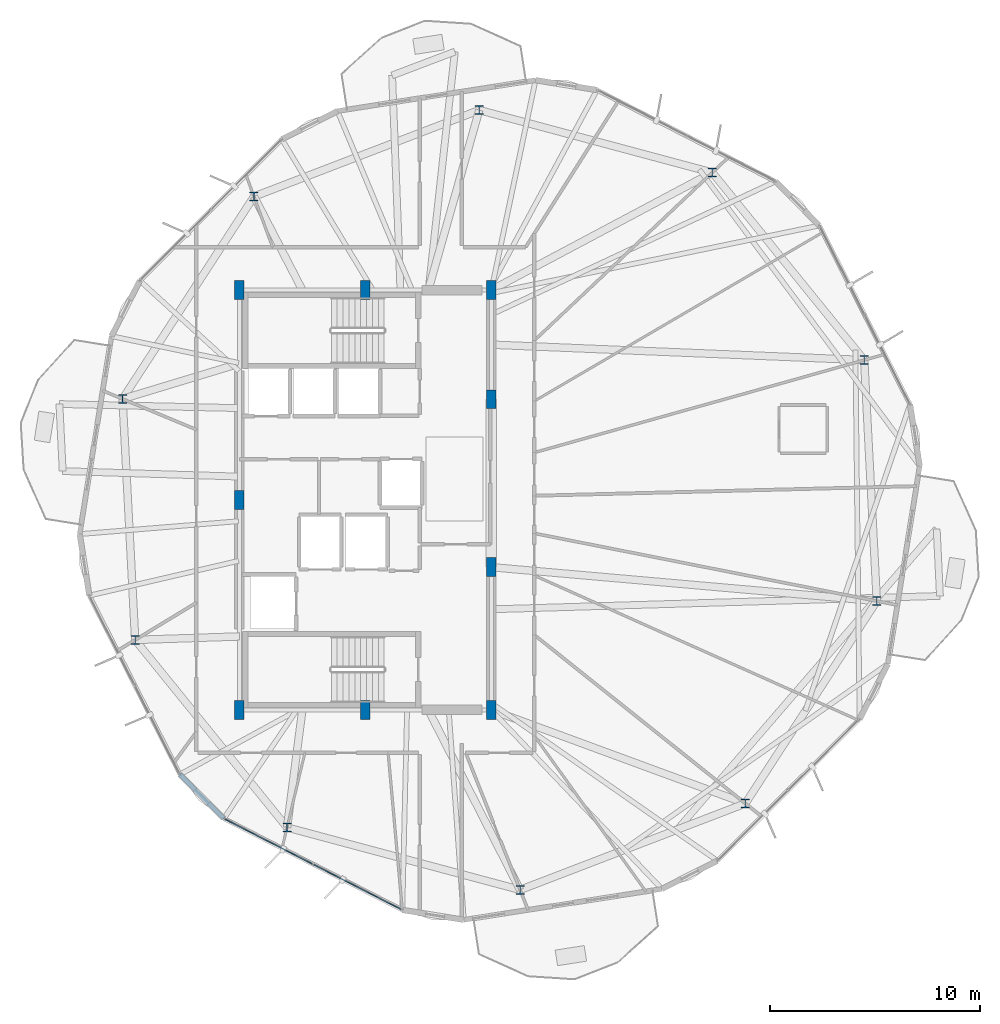
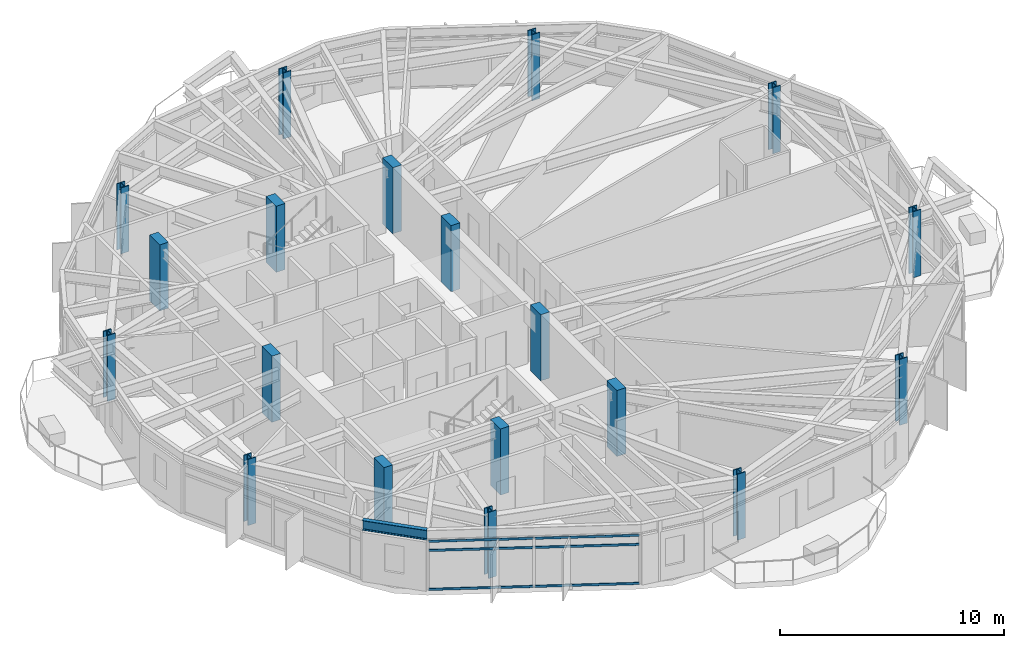
# One storey, part 1 of 27: 19 columns, 6 members, 1 beam, 1 element without a shape of its own.
"""IFC4 building model written with IfcOpenShell, lengths in metres."""

from ifc_helpers import new_model, si_unit, direction, frame, origin, origin_2d, place, context, subcontext, project, spatial, rectangle, hollow_rectangle, i_section, extrude, material, layer, layer_set, material_profile, profile_set, type_object, element, aggregate, save


model = new_model("IFC4")

# Units and contexts
model_context = context("Model", 3, precision=1e-05, world=origin(), true_north=direction((0.0, 1.0)))
body_context = subcontext(model_context, "Body", "Model", "MODEL_VIEW")
ifc_project = project(units=[si_unit("LENGTHUNIT", "METRE"), si_unit("AREAUNIT", "SQUARE_METRE"), si_unit("VOLUMEUNIT", "CUBIC_METRE"), si_unit("PLANEANGLEUNIT", "RADIAN"), si_unit("MASSUNIT", "GRAM", prefix="KILO")], contexts=[model_context])

# Site, building, storey
site_placement = place(None, origin())
site = spatial("IfcSite", under=ifc_project, at=site_placement, CompositionType="ELEMENT")
building_placement = place(site_placement, origin())
building = spatial("IfcBuilding", under=site, at=building_placement, Name="Soratama Intermodal Tower", CompositionType="ELEMENT")
storey_placement = place(building_placement, frame((0.0, 0.0, 197.800048828125)))
storey = spatial("IfcBuildingStorey", under=building, at=storey_placement, Name="L49", CompositionType="ELEMENT", Elevation=197.800048828125)

# Columns
ifc_material_1 = material(Name="Structural steel ASTM A992 Grade 50", Category="steel")
ifc_material_profile_1 = material_profile(ifc_material_1, i_section(OverallWidth=0.406005859375, OverallDepth=0.416015625, WebThickness=0.02978515625, FlangeThickness=0.048095703125, FilletRadius=0.0380859375, at=origin_2d()), Name="W14X257")
ifc_profile_set_1 = profile_set([ifc_material_profile_1], Name="Structural steel ASTM A992 Grade 50")
column_type_1 = type_object("IfcColumnType", Name="COL-ZD-W14X257", PredefinedType="COLUMN", material=ifc_profile_set_1)
for number, where, z_axis, x_axis, name in (
    (1, (62.364501953125, 31.66552734375, 0.0), (0.0, 0.0, 1.0), (1.0, 0.0, 0.0), "L49 Tower Ring Column R01"),
    (2, (55.13037109375, 40.599365234375, 0.0), (0.0, 0.0, 1.0), (1.0, 0.0, 0.0), "L49 Tower Ring Column R02"),
    (3, (44.026611328125, 43.574462890625, 0.0), (0.0, 0.0, 1.0), (1.0, 0.0, 0.0), "L49 Tower Ring Column R03"),
    (4, (33.294677734375, 39.454833984375, 0.0), (0.0, 0.0, 1.0), (1.0, 0.0, 0.0), "L49 Tower Ring Column R04"),
    (5, (27.03369140625, 29.81396484375, 0.0), (0.0, 0.0, 1.0), (1.0, 0.0, 0.0), "L49 Tower Ring Column R05"),
    (6, (27.635498046875, 18.33447265625, 0.0), (0.0, 0.0, 1.0), (1.0, 0.0, 0.0), "L49 Tower Ring Column R06"),
    (7, (34.86962890625, 9.400634765625, 0.0), (0.0, 0.0, 1.0), (1.0, 0.0, 0.0), "L49 Tower Ring Column R07"),
    (8, (45.973388671875, 6.425537109375, 0.0), (0.0, 0.0, 1.0), (1.0, 0.0, 0.0), "L49 Tower Ring Column R08"),
    (9, (56.705322265625, 10.545166015625, 0.0), (0.0, 0.0, 1.0), (1.0, 0.0, 0.0), "L49 Tower Ring Column R09"),
    (10, (62.96630859375, 20.18603515625, 0.0), (0.0, 0.0, 1.0), (1.0, 0.0, 0.0), "L49 Tower Ring Column R10"),
):
    element("IfcColumn", number, at=place(storey_placement, frame(where, z_axis=z_axis, x_axis=x_axis)), inside=storey, type_object=column_type_1, Name=name, PredefinedType="COLUMN", context=body_context, shape_type="SweptSolid", body=[
        extrude(i_section(OverallWidth=0.406005859375, OverallDepth=0.416015625, WebThickness=0.02978515625, FlangeThickness=0.048095703125, FilletRadius=0.0380859375, at=origin_2d()), origin(), (0.0, 0.0, 1.0), 3.599853515625),
    ])
ifc_material_2 = material(Name="Concrete f'c 56 MPa", Category="concrete")
ifc_material_profile_2 = material_profile(ifc_material_2, rectangle(XDim=0.449951171875, YDim=0.89990234375, at=origin_2d()), Name="RC450X900")
ifc_profile_set_2 = profile_set([ifc_material_profile_2], Name="Concrete f'c 56 MPa")
column_type_2 = type_object("IfcColumnType", Name="PIL-CORE-450X900", PredefinedType="PILASTER", material=ifc_profile_set_2)
for number, where, z_axis, x_axis, name in (
    (11, (32.60009765625, 15.0, 0.0), (0.0, 0.0, 1.0), (1.0, 0.0, 0.0), "L49 Core Pilaster 1"),
    (12, (32.60009765625, 25.0, 0.0), (0.0, 0.0, 1.0), (1.0, 0.0, 0.0), "L49 Core Pilaster 2"),
    (13, (32.60009765625, 35.0, 0.0), (0.0, 0.0, 1.0), (1.0, 0.0, 0.0), "L49 Core Pilaster 3"),
    (14, (38.60009765625, 15.0, 0.0), (0.0, 0.0, 1.0), (1.0, 0.0, 0.0), "L49 Core Pilaster 4"),
    (15, (38.60009765625, 35.0, 0.0), (0.0, 0.0, 1.0), (1.0, 0.0, 0.0), "L49 Core Pilaster 5"),
    (16, (44.60009765625, 15.0, 0.0), (0.0, 0.0, 1.0), (1.0, 0.0, 0.0), "L49 Core Pilaster 6"),
    (17, (44.60009765625, 21.800048828125, 0.0), (0.0, 0.0, 1.0), (1.0, 0.0, 0.0), "L49 Core Pilaster 7"),
    (18, (44.60009765625, 29.800048828125, 0.0), (0.0, 0.0, 1.0), (1.0, 0.0, 0.0), "L49 Core Pilaster 8"),
    (19, (44.60009765625, 35.0, 0.0), (0.0, 0.0, 1.0), (1.0, 0.0, 0.0), "L49 Core Pilaster 9"),
):
    element("IfcColumn", number, at=place(storey_placement, frame(where, z_axis=z_axis, x_axis=x_axis)), inside=storey, type_object=column_type_2, Name=name, PredefinedType="PILASTER", context=body_context, shape_type="SweptSolid", body=[
        extrude(rectangle(XDim=0.449951171875, YDim=0.89990234375, at=origin_2d()), origin(), (0.0, 0.0, 1.0), 3.599853515625),
    ])

# Beam
ifc_material_3 = material(Name="Structural steel ASTM A992 Grade 50", Category="steel")
ifc_material_profile_3 = material_profile(ifc_material_3, i_section(OverallWidth=0.2099609375, OverallDepth=0.537109375, WebThickness=0.010986328125, FlangeThickness=0.017333984375, FilletRadius=0.012939453125, at=origin_2d()), Name="W21X68")
ifc_profile_set_3 = profile_set([ifc_material_profile_3], Name="Structural steel ASTM A992 Grade 50")
beam_type = type_object("IfcBeamType", Name="BM-SPN-W21X68", PredefinedType="SPANDREL", material=ifc_profile_set_3)
beam_placement = place(storey_placement, frame((29.76708984375, 11.924072265625, 3.031494140625), z_axis=(0.705582538716, -0.708627745053, 0.0), x_axis=(0.708627745053, 0.705582538716, 0.0)))
element("IfcBeam", 20, at=beam_placement, inside=storey, type_object=beam_type, Name="BS-L49-CRN05", PredefinedType="SPANDREL", context=body_context, shape_type="SweptSolid", body=[
    extrude(i_section(OverallWidth=0.2099609375, OverallDepth=0.537109375, WebThickness=0.010986328125, FlangeThickness=0.017333984375, FilletRadius=0.012939453125, at=origin_2d()), origin(), (0.0, 0.0, 1.0), 2.96630859375),
])

# Curtain wall, members
ifc_material_4 = material(Name="Double-glazed aluminium curtain wall", Category="aluminium")
ifc_layer = layer(ifc_material_4, 0.159912109375)
ifc_layer_set = layer_set([ifc_layer], Name="Double-glazed aluminium curtain wall")
curtain_wall_type = type_object("IfcCurtainWallType", Name="CW-SYS-5", PredefinedType="NOTDEFINED", material=ifc_layer_set)
curtain_wall_placement = place(storey_placement, origin())
curtain_wall = element("IfcCurtainWall", 21, at=curtain_wall_placement, inside=storey, type_object=curtain_wall_type, Name="L49 Faceted Curtain Wall F06", PredefinedType="NOTDEFINED")
ifc_material_5 = material(Name="Anodised aluminium AA 6063-T6", Category="aluminium")
ifc_material_profile_4 = material_profile(ifc_material_5, hollow_rectangle(XDim=0.06005859375, YDim=0.1298828125, WallThickness=0.0048828125, InnerFilletRadius=0.0048828125, OuterFilletRadius=0.010009765625, at=origin_2d()), Name="CWT130X60X5")
ifc_profile_set_4 = profile_set([ifc_material_profile_4], Name="Anodised aluminium AA 6063-T6")
member_type = type_object("IfcMemberType", Name="TT-CWT-2", PredefinedType="USERDEFINED", material=ifc_profile_set_4)
member_1_placement = place(storey_placement, frame((31.913330078125, 9.794189453125, 0.030029296875), z_axis=(0.890050582917, -0.455861777132, 0.0), x_axis=(0.455861777132, 0.890050582917, 0.0)))
member_1 = element("IfcMember", 22, at=member_1_placement, type_object=member_type, Name="CW-5 transom 1.1", ObjectType="TRANSOM", PredefinedType="USERDEFINED", context=body_context, shape_type="SweptSolid", body=[
    extrude(hollow_rectangle(XDim=0.06005859375, YDim=0.1298828125, WallThickness=0.0048828125, InnerFilletRadius=0.0048828125, OuterFilletRadius=0.010009765625, at=origin_2d()), origin(), (0.0, 0.0, 1.0), 4.68603515625),
])
member_2_placement = place(storey_placement, frame((31.913330078125, 9.794189453125, 2.14990234375), z_axis=(0.890050582917, -0.455861777132, 0.0), x_axis=(0.455861777132, 0.890050582917, 0.0)))
member_2 = element("IfcMember", 23, at=member_2_placement, type_object=member_type, Name="CW-5 transom 1.2", ObjectType="TRANSOM", PredefinedType="USERDEFINED", context=body_context, shape_type="SweptSolid", body=[
    extrude(hollow_rectangle(XDim=0.06005859375, YDim=0.1298828125, WallThickness=0.0048828125, InnerFilletRadius=0.0048828125, OuterFilletRadius=0.010009765625, at=origin_2d()), origin(), (0.0, 0.0, 1.0), 4.68603515625),
])
member_3_placement = place(storey_placement, frame((31.913330078125, 9.794189453125, 2.64892578125), z_axis=(0.890050582917, -0.455861777132, 0.0), x_axis=(0.455861777132, 0.890050582917, 0.0)))
member_3 = element("IfcMember", 24, at=member_3_placement, type_object=member_type, Name="CW-5 transom 1.3", ObjectType="TRANSOM", PredefinedType="USERDEFINED", context=body_context, shape_type="SweptSolid", body=[
    extrude(hollow_rectangle(XDim=0.06005859375, YDim=0.1298828125, WallThickness=0.0048828125, InnerFilletRadius=0.0048828125, OuterFilletRadius=0.010009765625, at=origin_2d()), origin(), (0.0, 0.0, 1.0), 4.68603515625),
])
member_4_placement = place(storey_placement, frame((36.1376953125, 7.630615234375, 0.030029296875), z_axis=(0.890050582917, -0.455861777132, 0.0), x_axis=(0.455861777132, 0.890050582917, 0.0)))
member_4 = element("IfcMember", 25, at=member_4_placement, type_object=member_type, Name="CW-5 transom 2.1", ObjectType="TRANSOM", PredefinedType="USERDEFINED", context=body_context, shape_type="SweptSolid", body=[
    extrude(hollow_rectangle(XDim=0.06005859375, YDim=0.1298828125, WallThickness=0.0048828125, InnerFilletRadius=0.0048828125, OuterFilletRadius=0.010009765625, at=origin_2d()), origin(), (0.0, 0.0, 1.0), 4.68603515625),
])
member_5_placement = place(storey_placement, frame((36.1376953125, 7.630615234375, 2.14990234375), z_axis=(0.890050582917, -0.455861777132, 0.0), x_axis=(0.455861777132, 0.890050582917, 0.0)))
member_5 = element("IfcMember", 26, at=member_5_placement, type_object=member_type, Name="CW-5 transom 2.2", ObjectType="TRANSOM", PredefinedType="USERDEFINED", context=body_context, shape_type="SweptSolid", body=[
    extrude(hollow_rectangle(XDim=0.06005859375, YDim=0.1298828125, WallThickness=0.0048828125, InnerFilletRadius=0.0048828125, OuterFilletRadius=0.010009765625, at=origin_2d()), origin(), (0.0, 0.0, 1.0), 4.68603515625),
])
member_6_placement = place(storey_placement, frame((36.1376953125, 7.630615234375, 2.64892578125), z_axis=(0.890050582917, -0.455861777132, 0.0), x_axis=(0.455861777132, 0.890050582917, 0.0)))
member_6 = element("IfcMember", 27, at=member_6_placement, type_object=member_type, Name="CW-5 transom 2.3", ObjectType="TRANSOM", PredefinedType="USERDEFINED", context=body_context, shape_type="SweptSolid", body=[
    extrude(hollow_rectangle(XDim=0.06005859375, YDim=0.1298828125, WallThickness=0.0048828125, InnerFilletRadius=0.0048828125, OuterFilletRadius=0.010009765625, at=origin_2d()), origin(), (0.0, 0.0, 1.0), 4.68603515625),
])
aggregate(curtain_wall, [member_1, member_2, member_3, member_4, member_5, member_6])

save(model, "model.ifc")
